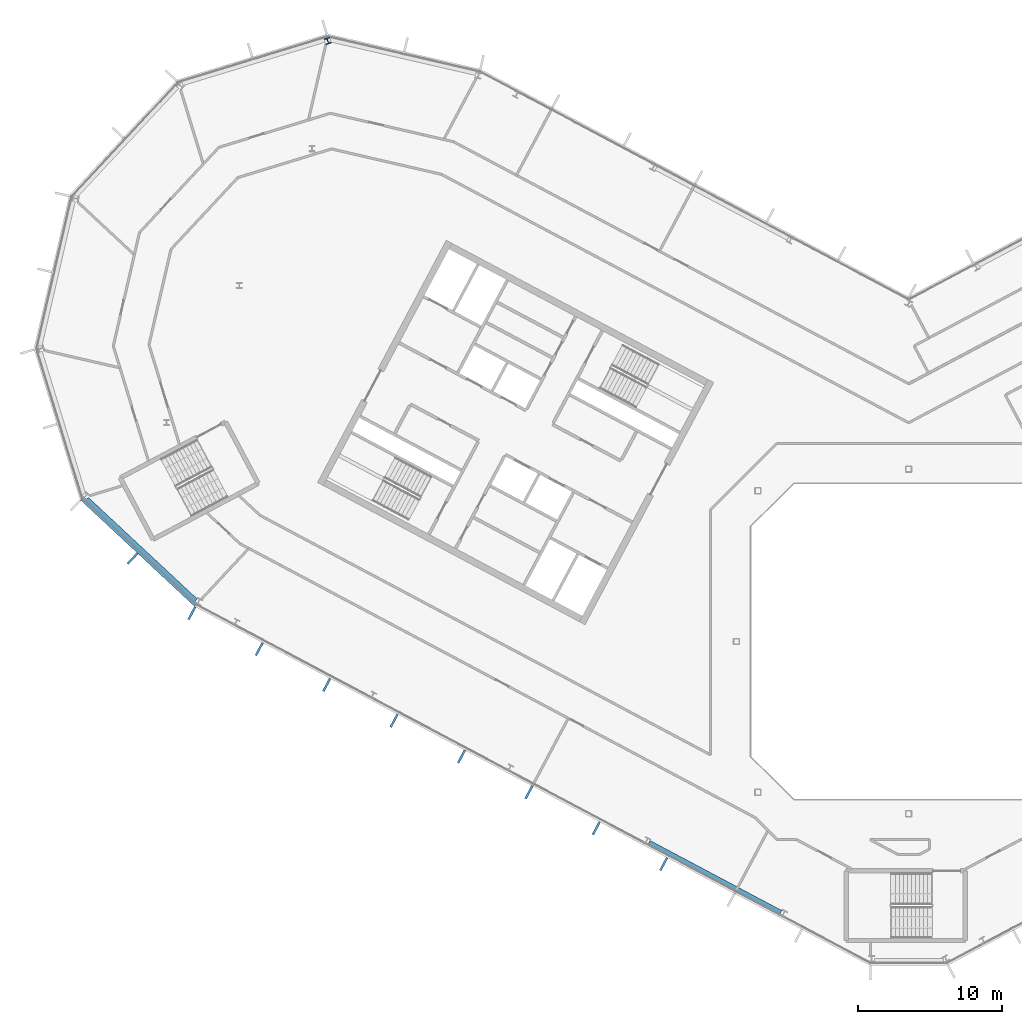
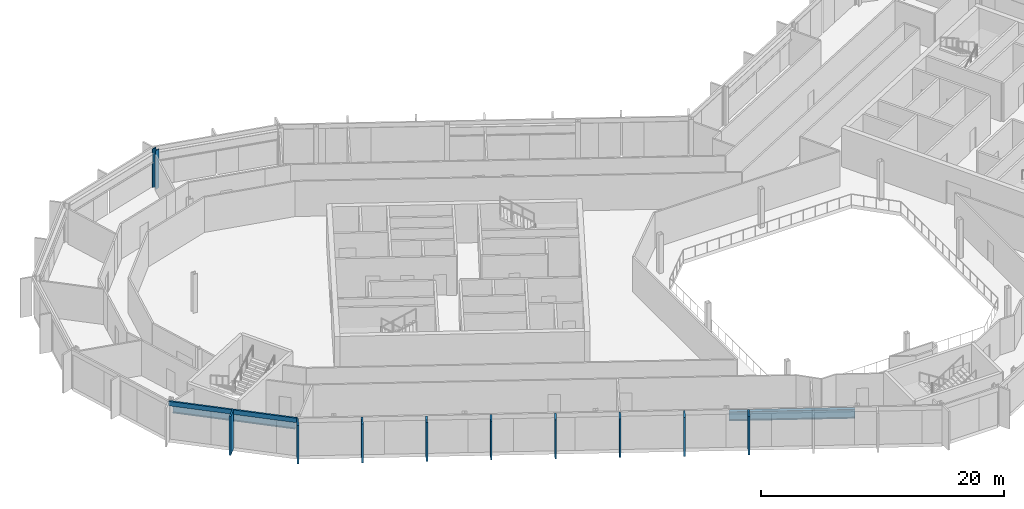
# One storey, part 8 of 26: 10 members, 2 beams, 1 column, 2 elements without a shape of their own.
"""IFC4 building model written with IfcOpenShell, lengths in metres."""

from ifc_helpers import new_model, si_unit, direction, frame, origin, origin_2d, place, context, subcontext, project, spatial, rectangle, i_section, extrude, material, layer, layer_set, material_profile, profile_set, type_object, element, aggregate, save


model = new_model("IFC4")

# Units and contexts
model_context = context("Model", 3, precision=1e-05, world=origin(), true_north=direction((0.0, 1.0)))
body_context = subcontext(model_context, "Body", "Model", "MODEL_VIEW")
ifc_project = project(units=[si_unit("LENGTHUNIT", "METRE"), si_unit("AREAUNIT", "SQUARE_METRE"), si_unit("VOLUMEUNIT", "CUBIC_METRE"), si_unit("PLANEANGLEUNIT", "RADIAN"), si_unit("MASSUNIT", "GRAM", prefix="KILO")], contexts=[model_context])

# Site, building, storey
site_placement = place(None, origin())
site = spatial("IfcSite", under=ifc_project, at=site_placement, CompositionType="ELEMENT")
building_placement = place(site_placement, origin())
building = spatial("IfcBuilding", under=site, at=building_placement, Name="Cormorant Relay Tower", CompositionType="ELEMENT")
storey_placement = place(building_placement, frame((0.0, 0.0, 308.699951171875)))
storey = spatial("IfcBuildingStorey", under=building, at=storey_placement, Name="L70", CompositionType="ELEMENT", Elevation=308.699951171875)

# Column
ifc_material_1 = material(Name="Steel ASTM A992 (Fy 345 MPa)", Category="steel")
ifc_material_profile_1 = material_profile(ifc_material_1, i_section(OverallWidth=0.40380859375, OverallDepth=0.406494140625, WebThickness=0.027099609375, FlangeThickness=0.043701171875, FilletRadius=0.01513671875, at=origin_2d()), Name="W360x347")
ifc_profile_set_1 = profile_set([ifc_material_profile_1], Name="Steel ASTM A992 (Fy 345 MPa)")
column_type = type_object("IfcColumnType", Name="Column W360x347", PredefinedType="COLUMN", material=ifc_profile_set_1)
column_placement = place(storey_placement, frame((-40.455078125, 41.823974609375, 0.0), z_axis=(0.0, 0.0, 1.0), x_axis=(-0.956304755963, -0.292371704723, 0.0)))
element("IfcColumn", 1, at=column_placement, inside=storey, type_object=column_type, Name="Column L70-043", PredefinedType="COLUMN", context=body_context, shape_type="SweptSolid", body=[
    extrude(i_section(OverallWidth=0.40380859375, OverallDepth=0.406494140625, WebThickness=0.027099609375, FlangeThickness=0.043701171875, FilletRadius=0.01513671875, at=origin_2d()), origin(), (0.0, 0.0, 1.0), 3.900146484375),
])

# Curtain wall, member
ifc_material_2 = material(Name="Aluminium 6063-T6 anodised bronze", Category="aluminium")
ifc_layer = layer(ifc_material_2, 0.199951171875)
ifc_layer_set = layer_set([ifc_layer], Name="CW1 unitised bronze curtain wall with vertical fins")
curtain_wall_type = type_object("IfcCurtainWallType", Name="CW1 unitised bronze curtain wall with vertical fins", PredefinedType="NOTDEFINED", material=ifc_layer_set)
curtain_wall_1_placement = place(storey_placement, origin())
curtain_wall_1 = element("IfcCurtainWall", 2, at=curtain_wall_1_placement, inside=storey, type_object=curtain_wall_type, Name="CW1 curtain wall 15", PredefinedType="NOTDEFINED")
ifc_material_3 = material(Name="Aluminium 6063-T6 anodised bronze", Category="aluminium")
ifc_material_profile_2 = material_profile(ifc_material_3, rectangle(XDim=0.14990234375, YDim=1.0, at=origin_2d()), Name="AL 150x1000")
ifc_profile_set_2 = profile_set([ifc_material_profile_2], Name="Aluminium 6063-T6 anodised bronze")
member_type_1 = type_object("IfcMemberType", Name="CW1 bronze fin mullion 150 x 1000", PredefinedType="MULLION", material=ifc_profile_set_2)
member_1_placement = place(storey_placement, frame((-54.0439453125, 5.779296875, 0.0), z_axis=(0.0, 0.0, 1.0), x_axis=(0.731353701619, -0.681998360062, 0.0)))
member_1 = element("IfcMember", 3, at=member_1_placement, type_object=member_type_1, Name="CW1 fin 15.2", PredefinedType="MULLION", context=body_context, shape_type="SweptSolid", body=[
    extrude(rectangle(XDim=0.14990234375, YDim=1.0, at=origin_2d()), origin(), (0.0, 0.0, 1.0), 3.900146484375),
])

# Curtain wall, members
curtain_wall_2_placement = place(storey_placement, origin())
curtain_wall_2 = element("IfcCurtainWall", 4, at=curtain_wall_2_placement, inside=storey, type_object=curtain_wall_type, Name="CW1 curtain wall 16", PredefinedType="NOTDEFINED")
member_2_placement = place(storey_placement, frame((-49.920166015625, 1.96630859375, 0.0), z_axis=(0.0, 0.0, 1.0), x_axis=(0.882947592859, -0.469471562786, 0.0)))
member_2 = element("IfcMember", 5, at=member_2_placement, type_object=member_type_1, Name="CW1 fin 16.1", PredefinedType="MULLION", context=body_context, shape_type="SweptSolid", body=[
    extrude(rectangle(XDim=0.14990234375, YDim=1.0, at=origin_2d()), origin(), (0.0, 0.0, 1.0), 3.900146484375),
])
member_3_placement = place(storey_placement, frame((-45.225830078125, -0.52978515625, 0.0), z_axis=(0.0, 0.0, 1.0), x_axis=(0.882947592859, -0.469471562786, 0.0)))
member_3 = element("IfcMember", 6, at=member_3_placement, type_object=member_type_1, Name="CW1 fin 16.2", PredefinedType="MULLION", context=body_context, shape_type="SweptSolid", body=[
    extrude(rectangle(XDim=0.14990234375, YDim=1.0, at=origin_2d()), origin(), (0.0, 0.0, 1.0), 3.900146484375),
])
member_4_placement = place(storey_placement, frame((-40.531494140625, -3.025634765625, 0.0), z_axis=(0.0, 0.0, 1.0), x_axis=(0.882947592859, -0.469471562786, 0.0)))
member_4 = element("IfcMember", 7, at=member_4_placement, type_object=member_type_1, Name="CW1 fin 16.3", PredefinedType="MULLION", context=body_context, shape_type="SweptSolid", body=[
    extrude(rectangle(XDim=0.14990234375, YDim=1.0, at=origin_2d()), origin(), (0.0, 0.0, 1.0), 3.900146484375),
])
member_5_placement = place(storey_placement, frame((-35.83740234375, -5.521728515625, 0.0), z_axis=(0.0, 0.0, 1.0), x_axis=(0.882947592859, -0.469471562786, 0.0)))
member_5 = element("IfcMember", 8, at=member_5_placement, type_object=member_type_1, Name="CW1 fin 16.4", PredefinedType="MULLION", context=body_context, shape_type="SweptSolid", body=[
    extrude(rectangle(XDim=0.14990234375, YDim=1.0, at=origin_2d()), origin(), (0.0, 0.0, 1.0), 3.900146484375),
])
member_6_placement = place(storey_placement, frame((-31.14306640625, -8.017578125, 0.0), z_axis=(0.0, 0.0, 1.0), x_axis=(0.882947592859, -0.469471562786, 0.0)))
member_6 = element("IfcMember", 9, at=member_6_placement, type_object=member_type_1, Name="CW1 fin 16.5", PredefinedType="MULLION", context=body_context, shape_type="SweptSolid", body=[
    extrude(rectangle(XDim=0.14990234375, YDim=1.0, at=origin_2d()), origin(), (0.0, 0.0, 1.0), 3.900146484375),
])
member_7_placement = place(storey_placement, frame((-26.44873046875, -10.513671875, 0.0), z_axis=(0.0, 0.0, 1.0), x_axis=(0.882947592859, -0.469471562786, 0.0)))
member_7 = element("IfcMember", 10, at=member_7_placement, type_object=member_type_1, Name="CW1 fin 16.6", PredefinedType="MULLION", context=body_context, shape_type="SweptSolid", body=[
    extrude(rectangle(XDim=0.14990234375, YDim=1.0, at=origin_2d()), origin(), (0.0, 0.0, 1.0), 3.900146484375),
])
member_8_placement = place(storey_placement, frame((-21.754638671875, -13.009765625, 0.0), z_axis=(0.0, 0.0, 1.0), x_axis=(0.882947592859, -0.469471562786, 0.0)))
member_8 = element("IfcMember", 11, at=member_8_placement, type_object=member_type_1, Name="CW1 fin 16.7", PredefinedType="MULLION", context=body_context, shape_type="SweptSolid", body=[
    extrude(rectangle(XDim=0.14990234375, YDim=1.0, at=origin_2d()), origin(), (0.0, 0.0, 1.0), 3.900146484375),
])
member_9_placement = place(storey_placement, frame((-17.060302734375, -15.505615234375, 0.0), z_axis=(0.0, 0.0, 1.0), x_axis=(0.882947592859, -0.469471562786, 0.0)))
member_9 = element("IfcMember", 12, at=member_9_placement, type_object=member_type_1, Name="CW1 fin 16.8", PredefinedType="MULLION", context=body_context, shape_type="SweptSolid", body=[
    extrude(rectangle(XDim=0.14990234375, YDim=1.0, at=origin_2d()), origin(), (0.0, 0.0, 1.0), 3.900146484375),
])
aggregate(curtain_wall_2, [member_2, member_3, member_4, member_5, member_6, member_7, member_8, member_9])

# Member
ifc_material_4 = material(Name="Aluminium 6063-T6 anodised bronze", Category="aluminium")
ifc_material_profile_3 = material_profile(ifc_material_4, rectangle(XDim=0.159912109375, YDim=0.449951171875, at=origin_2d()), Name="AL 160x450")
ifc_profile_set_3 = profile_set([ifc_material_profile_3], Name="Aluminium 6063-T6 anodised bronze")
member_type_2 = type_object("IfcMemberType", Name="CW1 bronze transom 160 x 450", PredefinedType="USERDEFINED", material=ifc_profile_set_3)
member_10_placement = place(storey_placement, frame((-57.62353515625, 9.91015625, 3.675048828125), z_axis=(0.731358420696, -0.681993299437, 0.0), x_axis=(0.681993299437, 0.731358420696, 0.0)))
member_10 = element("IfcMember", 13, at=member_10_placement, type_object=member_type_2, Name="CW1 transom 15", ObjectType="TRANSOM", PredefinedType="USERDEFINED", context=body_context, shape_type="SweptSolid", body=[
    extrude(rectangle(XDim=0.159912109375, YDim=0.449951171875, at=origin_2d()), origin(), (0.0, 0.0, 1.0), 10.870361328125),
])

aggregate(curtain_wall_1, [member_1, member_10])

# Beams
ifc_material_5 = material(Name="Steel ASTM A992 (Fy 345 MPa)", Category="steel")
ifc_material_profile_4 = material_profile(ifc_material_5, i_section(OverallWidth=0.307373046875, OverallDepth=0.927001953125, WebThickness=0.019287109375, FlangeThickness=0.031982421875, FilletRadius=0.01904296875, at=origin_2d()), Name="W920x289")
ifc_profile_set_4 = profile_set([ifc_material_profile_4], Name="Steel ASTM A992 (Fy 345 MPa)")
beam_type = type_object("IfcBeamType", Name="Spandrel W920x289", PredefinedType="SPANDREL", material=ifc_profile_set_4)
beam_1_placement = place(storey_placement, frame((-57.234619140625, 9.921630859375, 3.07666015625), z_axis=(0.731364191518, -0.681987110849, 0.0), x_axis=(0.681987110849, 0.731364191518, 0.0)))
element("IfcBeam", 14, at=beam_1_placement, inside=storey, type_object=beam_type, Name="Spandrel beam L70-015", PredefinedType="SPANDREL", context=body_context, shape_type="SweptSolid", body=[
    extrude(i_section(OverallWidth=0.307373046875, OverallDepth=0.927001953125, WebThickness=0.019287109375, FlangeThickness=0.031982421875, FilletRadius=0.01904296875, at=origin_2d()), origin(), (0.0, 0.0, 1.0), 10.37841796875),
])
beam_2_placement = place(storey_placement, frame((-18.0869140625, -13.992919921875, 3.07666015625), z_axis=(0.882946088703, -0.469474391681, 0.0), x_axis=(0.469474391681, 0.882946088703, 0.0)))
element("IfcBeam", 15, at=beam_2_placement, inside=storey, type_object=beam_type, Name="Spandrel beam L70-016", PredefinedType="SPANDREL", context=body_context, shape_type="SweptSolid", body=[
    extrude(i_section(OverallWidth=0.307373046875, OverallDepth=0.927001953125, WebThickness=0.019287109375, FlangeThickness=0.031982421875, FilletRadius=0.01904296875, at=origin_2d()), origin(), (0.0, 0.0, 1.0), 10.401611328125),
])

save(model, "model.ifc")
